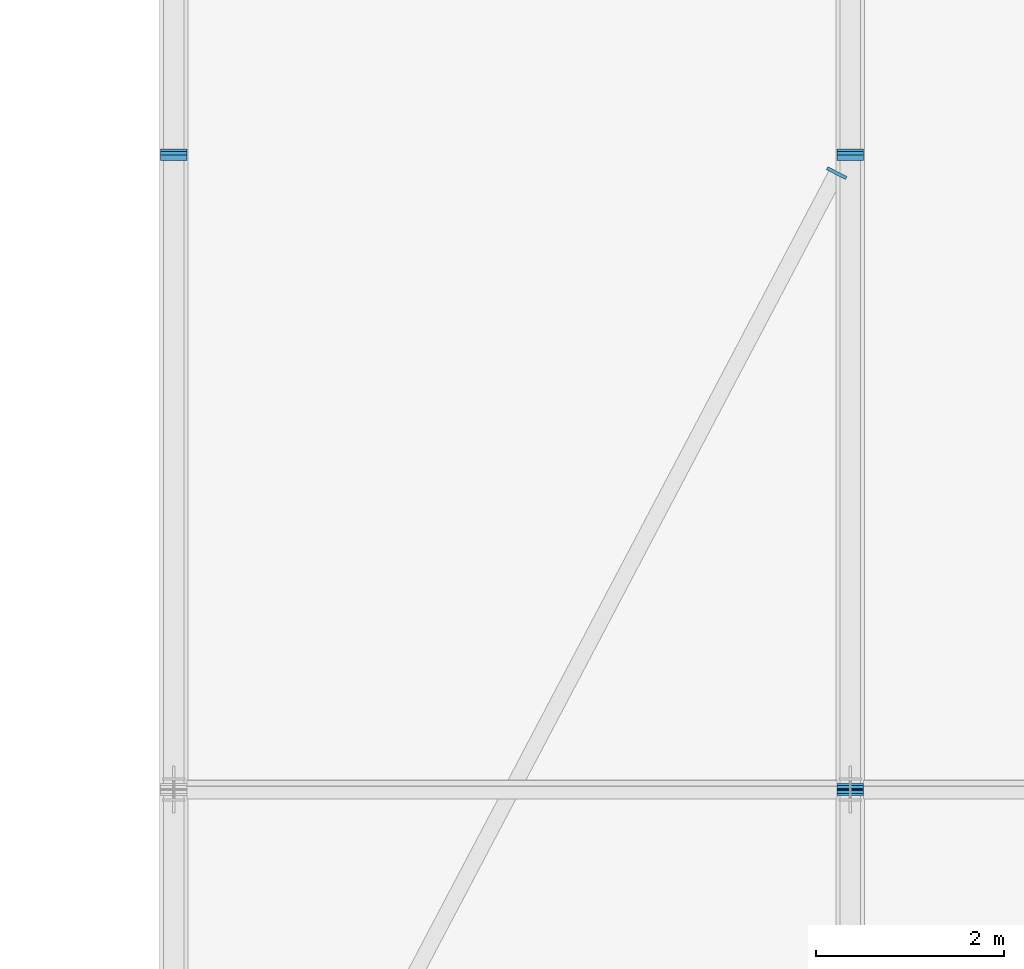
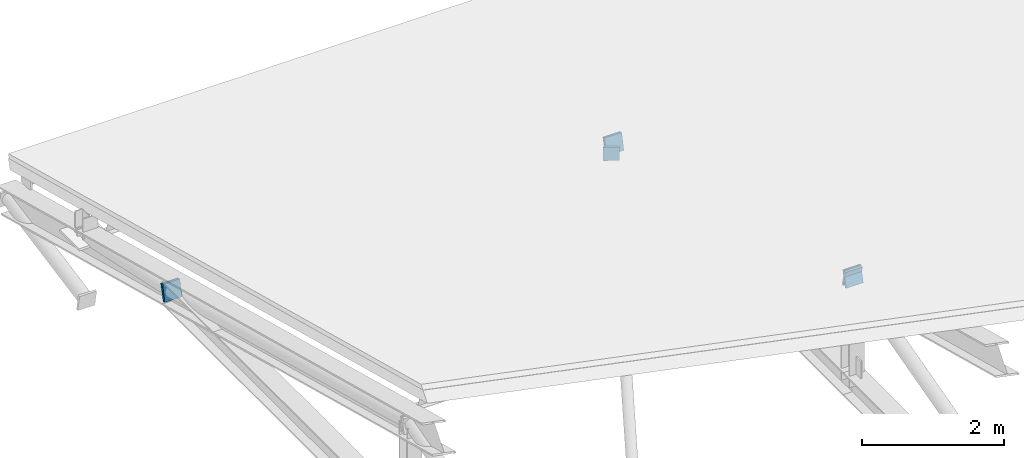
# One storey, part 40 of 57: 7 discrete accessories.
"""IFC4 building model written with IfcOpenShell, lengths in metres."""

from ifc_helpers import new_model, si_unit, direction, frame, origin, origin_2d, place, context, subcontext, project, spatial, rectangle, extrude, material, material_profile, profile_set, type_object, element, save


model = new_model("IFC4")

# Units and contexts
model_context = context("Model", 3, precision=1e-05, world=origin(), true_north=direction((0.0, 1.0)))
body_context = subcontext(model_context, "Body", "Model", "MODEL_VIEW")
ifc_project = project(units=[si_unit("LENGTHUNIT", "METRE"), si_unit("AREAUNIT", "SQUARE_METRE"), si_unit("VOLUMEUNIT", "CUBIC_METRE"), si_unit("PLANEANGLEUNIT", "RADIAN"), si_unit("MASSUNIT", "GRAM", prefix="KILO")], contexts=[model_context])

# Site, building, storey
site_placement = place(None, origin())
site = spatial("IfcSite", under=ifc_project, at=site_placement, CompositionType="ELEMENT")
building_placement = place(site_placement, origin())
building = spatial("IfcBuilding", under=site, at=building_placement, Name="Kelarvand Opera House", CompositionType="ELEMENT")
storey_placement = place(building_placement, frame((0.0, 0.0, 33.60009765625)))
storey = spatial("IfcBuildingStorey", under=building, at=storey_placement, Name="Roof", CompositionType="ELEMENT", Elevation=33.60009765625)

# Discrete accessories
ifc_material = material(Name="Steel S355", Category="steel")
ifc_material_profile_1 = material_profile(ifc_material, rectangle(XDim=0.22802734375, YDim=0.22802734375, at=origin_2d()), Name="Welded Steel Hollow End-Cap Plate 228x228x24", Category="steel")
ifc_profile_set_1 = profile_set([ifc_material_profile_1], Name="Steel S355")
discrete_accessory_type_1 = type_object("IfcDiscreteAccessoryType", Name="Welded Steel Hollow End-Cap Plate 228x228x24", PredefinedType="SHOE", material=ifc_profile_set_1)
discrete_accessory_1_placement = place(storey_placement, frame((66.246337890625, 75.79296875, 0.52001953125), z_axis=(0.4634975267, 0.886098212809, 0.0), x_axis=(-0.886098212809, 0.4634975267, 0.0)))
element("IfcDiscreteAccessory", 1, at=discrete_accessory_1_placement, inside=storey, type_object=discrete_accessory_type_1, Name="Hollow Section Welded End Cap 524", PredefinedType="SHOE", context=body_context, shape_type="SweptSolid", body=[
    extrude(rectangle(XDim=0.22802734375, YDim=0.22802734375, at=origin_2d()), origin(), (0.0, 0.0, 1.0), 0.035888671875),
])
ifc_material_profile_2 = material_profile(ifc_material, rectangle(XDim=0.279052734375, YDim=0.279052734375, at=origin_2d()), Name="Welded Steel Hollow End-Cap Plate 279x279x24", Category="steel")
ifc_profile_set_2 = profile_set([ifc_material_profile_2], Name="Steel S355")
discrete_accessory_type_2 = type_object("IfcDiscreteAccessoryType", Name="Welded Steel Hollow End-Cap Plate 279x279x24", PredefinedType="SHOE", material=ifc_profile_set_2)
discrete_accessory_2_placement = place(storey_placement, frame((59.199951171875, 76.0078125, 0.518310546875), z_axis=(0.0, -0.977603274554, 0.210456260494), x_axis=(1.0, 0.0, 0.0)))
element("IfcDiscreteAccessory", 2, at=discrete_accessory_2_placement, inside=storey, type_object=discrete_accessory_type_2, Name="Hollow Section Welded End Cap 444", PredefinedType="SHOE", context=body_context, shape_type="SweptSolid", body=[
    extrude(rectangle(XDim=0.279052734375, YDim=0.279052734375, at=origin_2d()), origin(), (0.0, 0.0, 1.0), 0.035888671875),
])
discrete_accessory_3_placement = place(storey_placement, frame((59.199951171875, 75.9921875, 0.52197265625), z_axis=(0.0, 0.966458920361, -0.256821251564), x_axis=(-1.0, 0.0, 0.0)))
element("IfcDiscreteAccessory", 3, at=discrete_accessory_3_placement, inside=storey, type_object=discrete_accessory_type_2, Name="Hollow Section Welded End Cap 452", PredefinedType="SHOE", context=body_context, shape_type="SweptSolid", body=[
    extrude(rectangle(XDim=0.279052734375, YDim=0.279052734375, at=origin_2d()), origin(), (0.0, 0.0, 1.0), 0.0361328125),
])
discrete_accessory_4_placement = place(storey_placement, frame((66.39990234375, 76.0078125, 0.518310546875), z_axis=(0.0, -0.977603274554, 0.210456260494), x_axis=(1.0, 0.0, 0.0)))
element("IfcDiscreteAccessory", 4, at=discrete_accessory_4_placement, inside=storey, type_object=discrete_accessory_type_2, Name="Hollow Section Welded End Cap 460", PredefinedType="SHOE", context=body_context, shape_type="SweptSolid", body=[
    extrude(rectangle(XDim=0.279052734375, YDim=0.279052734375, at=origin_2d()), origin(), (0.0, 0.0, 1.0), 0.035888671875),
])
for number, where, z_axis, x_axis, name in (
    (5, (66.39990234375, 69.2421875, 2.33251953125), (0.0, 0.966458920361, 0.256821251564), (-1.0, 0.0, 0.0), "Hollow Section Welded End Cap 466"),
    (6, (66.39990234375, 69.2578125, 2.33251953125), (0.0, -0.966458920361, 0.256821251564), (1.0, 0.0, 0.0), "Hollow Section Welded End Cap 467"),
    (7, (66.39990234375, 75.9921875, 0.52197265625), (0.0, 0.966458920361, -0.256821251564), (-1.0, 0.0, 0.0), "Hollow Section Welded End Cap 468"),
):
    element("IfcDiscreteAccessory", number, at=place(storey_placement, frame(where, z_axis=z_axis, x_axis=x_axis)), inside=storey, type_object=discrete_accessory_type_2, Name=name, PredefinedType="SHOE", context=body_context, shape_type="SweptSolid", body=[
        extrude(rectangle(XDim=0.279052734375, YDim=0.279052734375, at=origin_2d()), origin(), (0.0, 0.0, 1.0), 0.0361328125),
    ])

save(model, "model.ifc")
